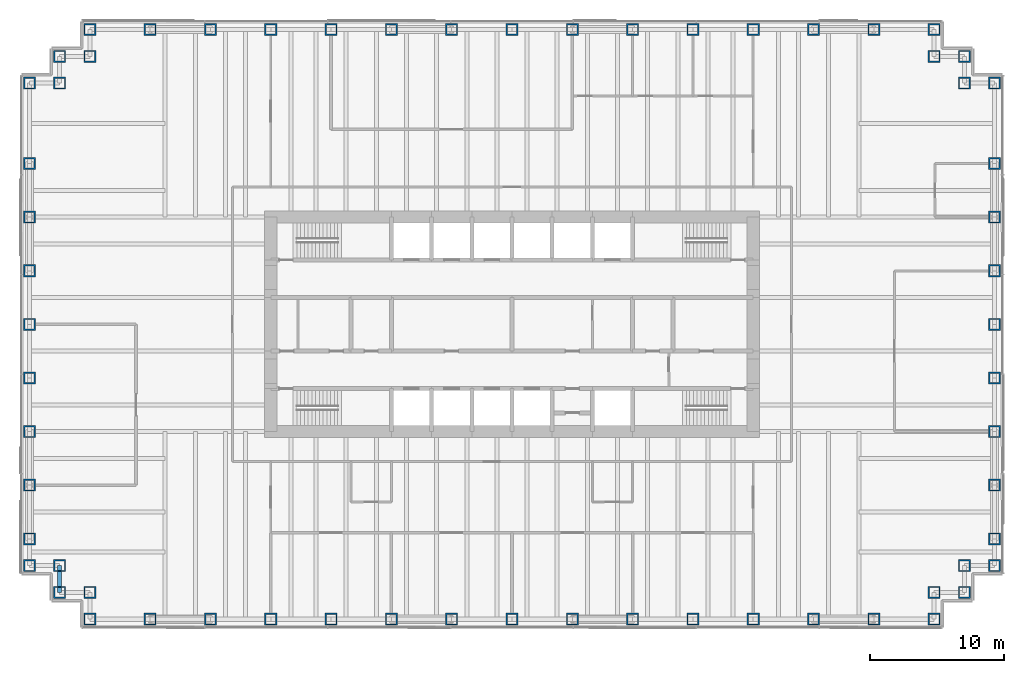
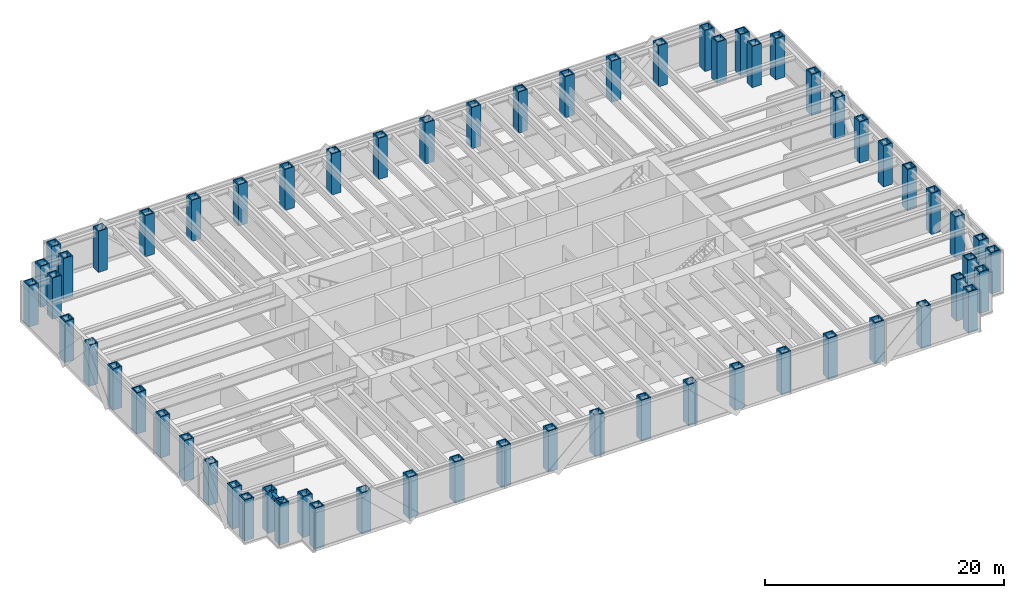
# One storey, part 1 of 15: 62 columns, 1 beam.
"""IFC4 building model written with IfcOpenShell, lengths in metres."""

from ifc_helpers import new_model, si_unit, direction, frame, origin, origin_2d, place, context, subcontext, project, spatial, hollow_rectangle, i_section, extrude, material, material_profile, profile_set, type_object, element, save


model = new_model("IFC4")

# Units and contexts
model_context = context("Model", 3, precision=1e-05, world=origin(), true_north=direction((0.0, 1.0)))
body_context = subcontext(model_context, "Body", "Model", "MODEL_VIEW")
ifc_project = project(units=[si_unit("LENGTHUNIT", "METRE"), si_unit("AREAUNIT", "SQUARE_METRE"), si_unit("VOLUMEUNIT", "CUBIC_METRE"), si_unit("PLANEANGLEUNIT", "RADIAN"), si_unit("MASSUNIT", "GRAM", prefix="KILO")], contexts=[model_context])

# Site, building, storey
site_placement = place(None, origin())
site = spatial("IfcSite", under=ifc_project, at=site_placement, CompositionType="ELEMENT")
building_placement = place(site_placement, origin())
building = spatial("IfcBuilding", under=site, at=building_placement, Name="Rheinbord Bourse Tower", CompositionType="ELEMENT")
storey_placement = place(building_placement, frame((0.0, 0.0, 146.699951171875)))
storey = spatial("IfcBuildingStorey", under=building, at=storey_placement, Name="L32", CompositionType="ELEMENT", Elevation=146.699951171875)

# Columns
ifc_material_1 = material(Name="Steel S460M", Category="steel")
ifc_material_profile_1 = material_profile(ifc_material_1, hollow_rectangle(XDim=0.89990234375, YDim=0.89990234375, WallThickness=0.10009765625, at=origin_2d()), Name="BOX 900x900x100")
ifc_profile_set_1 = profile_set([ifc_material_profile_1], Name="Steel S460M")
column_type = type_object("IfcColumnType", Name="TUBE COLUMN BOX 900x900x100", PredefinedType="COLUMN", material=ifc_profile_set_1)
for number, where, z_axis, x_axis, name in (
    (1, (4.5, 2.0, 0.0), (0.0, 0.0, 1.0), (0.0, 1.0, 0.0), "Column SW-E L32"),
    (2, (9.0, 2.0, 0.0), (0.0, 0.0, 1.0), (0.0, 1.0, 0.0), "Column S-9 L32"),
    (3, (13.5, 2.0, 0.0), (0.0, 0.0, 1.0), (0.0, 1.0, 0.0), "Column S-13.5 L32"),
    (4, (18.0, 2.0, 0.0), (0.0, 0.0, 1.0), (0.0, 1.0, 0.0), "Column S-18 L32"),
    (5, (22.5, 2.0, 0.0), (0.0, 0.0, 1.0), (0.0, 1.0, 0.0), "Column S-22.5 L32"),
    (6, (27.0, 2.0, 0.0), (0.0, 0.0, 1.0), (0.0, 1.0, 0.0), "Column S-27 L32"),
    (7, (31.5, 2.0, 0.0), (0.0, 0.0, 1.0), (0.0, 1.0, 0.0), "Column S-31.5 L32"),
    (8, (36.0, 2.0, 0.0), (0.0, 0.0, 1.0), (0.0, 1.0, 0.0), "Column S-36 L32"),
    (9, (40.5, 2.0, 0.0), (0.0, 0.0, 1.0), (0.0, 1.0, 0.0), "Column S-40.5 L32"),
    (10, (45.0, 2.0, 0.0), (0.0, 0.0, 1.0), (0.0, 1.0, 0.0), "Column S-45 L32"),
    (11, (49.5, 2.0, 0.0), (0.0, 0.0, 1.0), (0.0, 1.0, 0.0), "Column S-49.5 L32"),
    (12, (54.0, 2.0, 0.0), (0.0, 0.0, 1.0), (0.0, 1.0, 0.0), "Column S-54 L32"),
    (13, (58.5, 2.0, 0.0), (0.0, 0.0, 1.0), (0.0, 1.0, 0.0), "Column S-58.5 L32"),
    (14, (63.0, 2.0, 0.0), (0.0, 0.0, 1.0), (0.0, 1.0, 0.0), "Column S-63 L32"),
    (15, (67.5, 2.0, 0.0), (0.0, 0.0, 1.0), (0.0, 1.0, 0.0), "Column SE-E L32"),
    (16, (67.5, 4.0, 0.0), (0.0, 0.0, 1.0), (0.0, 1.0, 0.0), "Column SE-D L32"),
    (17, (69.75, 4.0, 0.0), (0.0, 0.0, 1.0), (1.0, 0.0, 0.0), "Column SE-C L32"),
    (18, (69.75, 6.0, 0.0), (0.0, 0.0, 1.0), (1.0, 0.0, 0.0), "Column SE-B L32"),
    (19, (72.0, 6.0, 0.0), (0.0, 0.0, 1.0), (1.0, 0.0, 0.0), "Column SE-A L32"),
    (20, (72.0, 8.0, 0.0), (0.0, 0.0, 1.0), (1.0, 0.0, 0.0), "Column E-8 L32"),
    (21, (72.0, 12.0, 0.0), (0.0, 0.0, 1.0), (1.0, 0.0, 0.0), "Column E-12 L32"),
    (22, (72.0, 16.0, 0.0), (0.0, 0.0, 1.0), (1.0, 0.0, 0.0), "Column E-16 L32"),
    (23, (72.0, 20.0, 0.0), (0.0, 0.0, 1.0), (1.0, 0.0, 0.0), "Column E-20 L32"),
    (24, (72.0, 24.0, 0.0), (0.0, 0.0, 1.0), (1.0, 0.0, 0.0), "Column E-24 L32"),
    (25, (72.0, 28.0, 0.0), (0.0, 0.0, 1.0), (1.0, 0.0, 0.0), "Column E-28 L32"),
    (26, (72.0, 32.0, 0.0), (0.0, 0.0, 1.0), (1.0, 0.0, 0.0), "Column E-32 L32"),
    (27, (72.0, 36.0, 0.0), (0.0, 0.0, 1.0), (1.0, 0.0, 0.0), "Column E-36 L32"),
    (28, (72.0, 42.0, 0.0), (0.0, 0.0, 1.0), (1.0, 0.0, 0.0), "Column NE-A L32"),
    (29, (69.75, 42.0, 0.0), (0.0, 0.0, 1.0), (1.0, 0.0, 0.0), "Column NE-B L32"),
    (30, (69.75, 44.0, 0.0), (0.0, 0.0, 1.0), (1.0, 0.0, 0.0), "Column NE-C L32"),
    (31, (67.5, 44.0, 0.0), (0.0, 0.0, 1.0), (0.0, 1.0, 0.0), "Column NE-D L32"),
    (32, (67.5, 46.0, 0.0), (0.0, 0.0, 1.0), (0.0, 1.0, 0.0), "Column NE-E L32"),
    (33, (63.0, 46.0, 0.0), (0.0, 0.0, 1.0), (0.0, 1.0, 0.0), "Column N-63 L32"),
    (34, (58.5, 46.0, 0.0), (0.0, 0.0, 1.0), (0.0, 1.0, 0.0), "Column N-58.5 L32"),
    (35, (54.0, 46.0, 0.0), (0.0, 0.0, 1.0), (0.0, 1.0, 0.0), "Column N-54 L32"),
    (36, (49.5, 46.0, 0.0), (0.0, 0.0, 1.0), (0.0, 1.0, 0.0), "Column N-49.5 L32"),
    (37, (45.0, 46.0, 0.0), (0.0, 0.0, 1.0), (0.0, 1.0, 0.0), "Column N-45 L32"),
    (38, (40.5, 46.0, 0.0), (0.0, 0.0, 1.0), (0.0, 1.0, 0.0), "Column N-40.5 L32"),
    (39, (36.0, 46.0, 0.0), (0.0, 0.0, 1.0), (0.0, 1.0, 0.0), "Column N-36 L32"),
    (40, (31.5, 46.0, 0.0), (0.0, 0.0, 1.0), (0.0, 1.0, 0.0), "Column N-31.5 L32"),
    (41, (27.0, 46.0, 0.0), (0.0, 0.0, 1.0), (0.0, 1.0, 0.0), "Column N-27 L32"),
    (42, (22.5, 46.0, 0.0), (0.0, 0.0, 1.0), (0.0, 1.0, 0.0), "Column N-22.5 L32"),
    (43, (18.0, 46.0, 0.0), (0.0, 0.0, 1.0), (0.0, 1.0, 0.0), "Column N-18 L32"),
    (44, (13.5, 46.0, 0.0), (0.0, 0.0, 1.0), (0.0, 1.0, 0.0), "Column N-13.5 L32"),
    (45, (9.0, 46.0, 0.0), (0.0, 0.0, 1.0), (0.0, 1.0, 0.0), "Column N-9 L32"),
    (46, (4.5, 46.0, 0.0), (0.0, 0.0, 1.0), (0.0, 1.0, 0.0), "Column NW-E L32"),
    (47, (4.5, 44.0, 0.0), (0.0, 0.0, 1.0), (0.0, 1.0, 0.0), "Column NW-D L32"),
    (48, (2.25, 44.0, 0.0), (0.0, 0.0, 1.0), (1.0, 0.0, 0.0), "Column NW-C L32"),
    (49, (2.25, 42.0, 0.0), (0.0, 0.0, 1.0), (1.0, 0.0, 0.0), "Column NW-B L32"),
    (50, (0.0, 42.0, 0.0), (0.0, 0.0, 1.0), (1.0, 0.0, 0.0), "Column NW-A L32"),
    (51, (0.0, 36.0, 0.0), (0.0, 0.0, 1.0), (1.0, 0.0, 0.0), "Column W-36 L32"),
    (52, (0.0, 32.0, 0.0), (0.0, 0.0, 1.0), (1.0, 0.0, 0.0), "Column W-32 L32"),
    (53, (0.0, 28.0, 0.0), (0.0, 0.0, 1.0), (1.0, 0.0, 0.0), "Column W-28 L32"),
    (54, (0.0, 24.0, 0.0), (0.0, 0.0, 1.0), (1.0, 0.0, 0.0), "Column W-24 L32"),
    (55, (0.0, 20.0, 0.0), (0.0, 0.0, 1.0), (1.0, 0.0, 0.0), "Column W-20 L32"),
    (56, (0.0, 16.0, 0.0), (0.0, 0.0, 1.0), (1.0, 0.0, 0.0), "Column W-16 L32"),
    (57, (0.0, 12.0, 0.0), (0.0, 0.0, 1.0), (1.0, 0.0, 0.0), "Column W-12 L32"),
    (58, (0.0, 8.0, 0.0), (0.0, 0.0, 1.0), (1.0, 0.0, 0.0), "Column W-8 L32"),
    (59, (0.0, 6.0, 0.0), (0.0, 0.0, 1.0), (1.0, 0.0, 0.0), "Column SW-A L32"),
    (60, (2.25, 6.0, 0.0), (0.0, 0.0, 1.0), (1.0, 0.0, 0.0), "Column SW-B L32"),
    (61, (2.25, 4.0, 0.0), (0.0, 0.0, 1.0), (1.0, 0.0, 0.0), "Column SW-C L32"),
    (62, (4.5, 4.0, 0.0), (0.0, 0.0, 1.0), (0.0, 1.0, 0.0), "Column SW-D L32"),
):
    element("IfcColumn", number, at=place(storey_placement, frame(where, z_axis=z_axis, x_axis=x_axis)), inside=storey, type_object=column_type, Name=name, PredefinedType="COLUMN", context=body_context, shape_type="SweptSolid", body=[
        extrude(hollow_rectangle(XDim=0.89990234375, YDim=0.89990234375, WallThickness=0.10009765625, at=origin_2d()), origin(), (0.0, 0.0, 1.0), 4.199951171875),
    ])

# Beam
ifc_material_2 = material(Name="Steel S460", Category="steel")
ifc_material_profile_2 = material_profile(ifc_material_2, i_section(OverallWidth=0.305908203125, OverallDepth=0.572021484375, WebThickness=0.02099609375, FlangeThickness=0.0400390625, at=origin_2d()), Name="HEM 550")
ifc_profile_set_2 = profile_set([ifc_material_profile_2], Name="Steel S460")
beam_type = type_object("IfcBeamType", Name="SPANDREL HEM 550", PredefinedType="SPANDREL", material=ifc_profile_set_2)
beam_placement = place(storey_placement, frame((2.25, 6.0, 3.754150390625), z_axis=(0.0, -1.0, 0.0), x_axis=(1.0, 0.0, 0.0)))
element("IfcBeam", 63, at=beam_placement, inside=storey, type_object=beam_type, Name="Spandrel SW-B-SW-C under L33", PredefinedType="SPANDREL", context=body_context, shape_type="SweptSolid", body=[
    extrude(i_section(OverallWidth=0.305908203125, OverallDepth=0.572021484375, WebThickness=0.02099609375, FlangeThickness=0.0400390625, at=origin_2d()), origin(), (0.0, 0.0, 1.0), 2.0),
])

save(model, "model.ifc")
